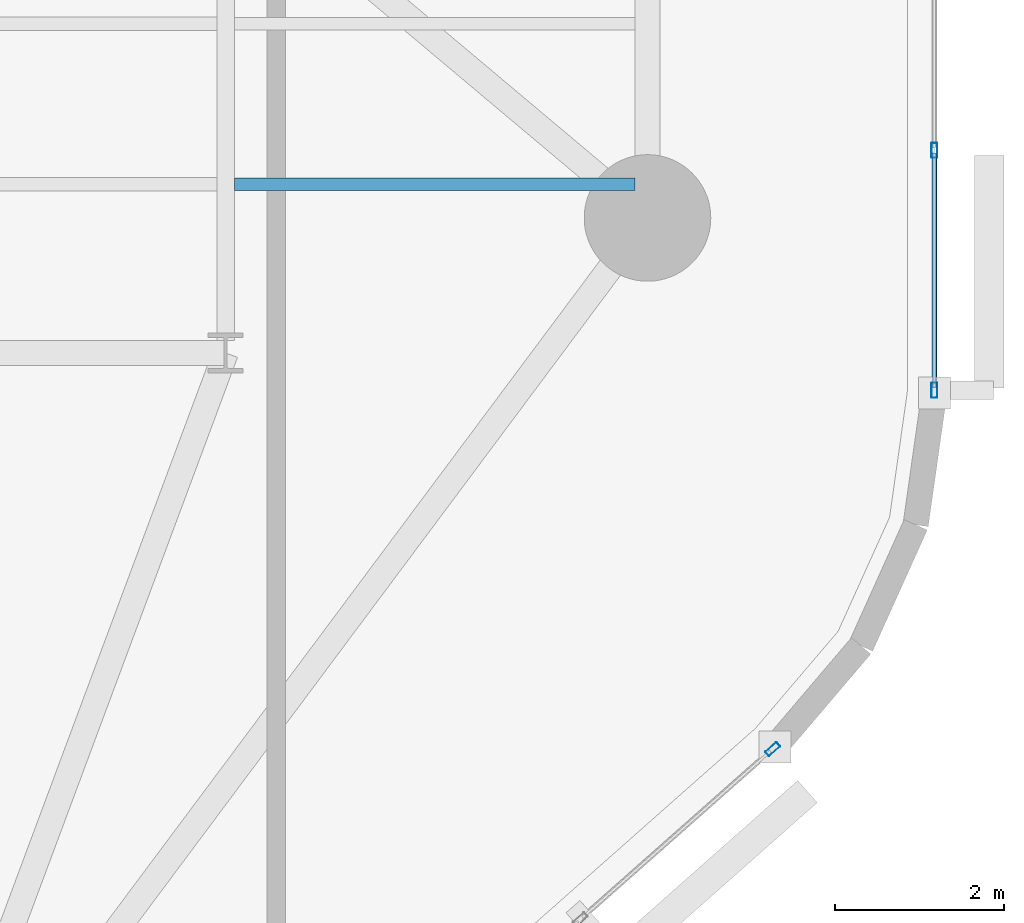
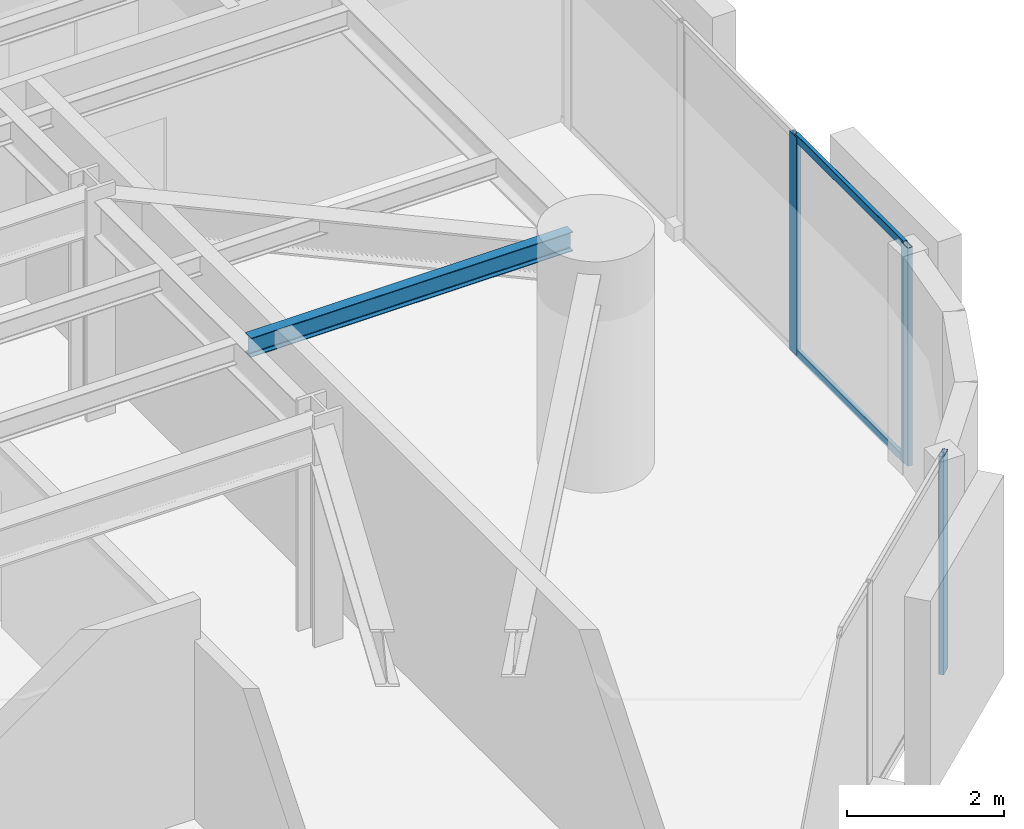
# One storey, part 4 of 17: 5 members, 1 beam, 2 elements without a shape of their own.
"""IFC4 building model written with IfcOpenShell, lengths in metres."""

from ifc_helpers import new_model, si_unit, direction, frame, origin, origin_2d, place, context, subcontext, project, spatial, hollow_rectangle, i_section, extrude, material, layer, layer_set, material_profile, profile_set, type_object, element, aggregate, save


model = new_model("IFC4")

# Units and contexts
model_context = context("Model", 3, precision=1e-05, world=origin(), true_north=direction((0.0, 1.0)))
body_context = subcontext(model_context, "Body", "Model", "MODEL_VIEW")
ifc_project = project(units=[si_unit("LENGTHUNIT", "METRE"), si_unit("AREAUNIT", "SQUARE_METRE"), si_unit("VOLUMEUNIT", "CUBIC_METRE"), si_unit("PLANEANGLEUNIT", "RADIAN"), si_unit("MASSUNIT", "GRAM", prefix="KILO")], contexts=[model_context])

# Site, building, storey
site_placement = place(None, origin())
site = spatial("IfcSite", under=ifc_project, at=site_placement, CompositionType="ELEMENT")
building_placement = place(site_placement, origin())
building = spatial("IfcBuilding", under=site, at=building_placement, Name="An Khanh Terracotta Commons", CompositionType="ELEMENT")
storey_placement = place(building_placement, frame((0.0, 0.0, 32.39990234375)))
storey = spatial("IfcBuildingStorey", under=building, at=storey_placement, Name="L08", CompositionType="ELEMENT", Elevation=32.39990234375)

# Beam
ifc_material_1 = material(Name="Steel S355J2", Category="steel")
ifc_material_profile_1 = material_profile(ifc_material_1, i_section(OverallWidth=0.14990234375, OverallDepth=0.300048828125, WebThickness=0.007080078125, FlangeThickness=0.0107421875, FilletRadius=0.014892578125, at=origin_2d()), Name="IPE300")
ifc_profile_set_1 = profile_set([ifc_material_profile_1], Name="Steel S355J2")
beam_type = type_object("IfcBeamType", Name="BM-IPE300", PredefinedType="JOIST", material=ifc_profile_set_1)
beam_placement = place(storey_placement, frame((43.304931640625, 16.39990234375, 3.25), z_axis=(1.0, 0.0, 0.0), x_axis=(0.0, 1.0, 0.0)))
element("IfcBeam", 1, at=beam_placement, inside=storey, type_object=beam_type, Name="L08 Riverfront Composite Joist 1", PredefinedType="JOIST", context=body_context, shape_type="SweptSolid", body=[
    extrude(i_section(OverallWidth=0.14990234375, OverallDepth=0.300048828125, WebThickness=0.007080078125, FlangeThickness=0.0107421875, FilletRadius=0.014892578125, at=origin_2d()), origin(), (0.0, 0.0, 1.0), 4.7451171875),
])

# Curtain wall, member
ifc_material_2 = material(Name="Anodised Aluminium 6063-T6", Category="aluminium")
ifc_layer = layer(ifc_material_2, 0.199951171875, Name="Anodised Aluminium 6063-T6")
ifc_layer_set = layer_set([ifc_layer], Name="Anodised Aluminium 6063-T6")
curtain_wall_type = type_object("IfcCurtainWallType", Name="CW-SYS-02", PredefinedType="USERDEFINED", material=ifc_layer_set)
curtain_wall_1_placement = place(storey_placement, origin())
curtain_wall_1 = element("IfcCurtainWall", 2, at=curtain_wall_1_placement, inside=storey, type_object=curtain_wall_type, Name="L08 CW-02 Unitised Curtain Wall CW-L08-08", ObjectType="UNITISED CURTAIN WALL", PredefinedType="USERDEFINED")
ifc_material_profile_2 = material_profile(ifc_material_2, hollow_rectangle(XDim=0.070068359375, YDim=0.179931640625, WallThickness=0.00390625, InnerFilletRadius=0.00390625, OuterFilletRadius=0.008056640625, at=origin_2d()), Name="RHS180x70x4")
ifc_profile_set_2 = profile_set([ifc_material_profile_2], Name="Anodised Aluminium 6063-T6")
member_type_1 = type_object("IfcMemberType", Name="CWM-RHS180x70x4", PredefinedType="MULLION", material=ifc_profile_set_2)
member_1_placement = place(storey_placement, frame((49.683837890625, 9.704833984375, 0.0), z_axis=(0.0, 0.0, 1.0), x_axis=(-0.662548195415, 0.749019284633, 0.0)))
member_1 = element("IfcMember", 3, at=member_1_placement, type_object=member_type_1, Name="CW-02 mullion 4", PredefinedType="MULLION", context=body_context, shape_type="SweptSolid", body=[
    extrude(hollow_rectangle(XDim=0.070068359375, YDim=0.179931640625, WallThickness=0.00390625, InnerFilletRadius=0.00390625, OuterFilletRadius=0.008056640625, at=origin_2d()), origin(), (0.0, 0.0, 1.0), 3.400146484375),
])
aggregate(curtain_wall_1, [member_1])

# Curtain wall, members
curtain_wall_2_placement = place(storey_placement, origin())
curtain_wall_2 = element("IfcCurtainWall", 4, at=curtain_wall_2_placement, inside=storey, type_object=curtain_wall_type, Name="L08 CW-02 Unitised Curtain Wall CW-L08-12", ObjectType="UNITISED CURTAIN WALL", PredefinedType="USERDEFINED")
member_2_placement = place(storey_placement, frame((51.60009765625, 13.9580078125, 0.0), z_axis=(0.0, 0.0, 1.0), x_axis=(-1.0, 0.0, 0.0)))
member_2 = element("IfcMember", 5, at=member_2_placement, type_object=member_type_1, Name="CW-02 mullion 1", PredefinedType="MULLION", context=body_context, shape_type="SweptSolid", body=[
    extrude(hollow_rectangle(XDim=0.070068359375, YDim=0.179931640625, WallThickness=0.00390625, InnerFilletRadius=0.00390625, OuterFilletRadius=0.008056640625, at=origin_2d()), origin(), (0.0, 0.0, 1.0), 3.400146484375),
])
member_3_placement = place(storey_placement, frame((51.60009765625, 16.80224609375, 0.0), z_axis=(0.0, 0.0, 1.0), x_axis=(-1.0, 0.0, 0.0)))
member_3 = element("IfcMember", 6, at=member_3_placement, type_object=member_type_1, Name="CW-02 mullion 2", PredefinedType="MULLION", context=body_context, shape_type="SweptSolid", body=[
    extrude(hollow_rectangle(XDim=0.070068359375, YDim=0.179931640625, WallThickness=0.00390625, InnerFilletRadius=0.00390625, OuterFilletRadius=0.008056640625, at=origin_2d()), origin(), (0.0, 0.0, 1.0), 3.400146484375),
])
ifc_material_profile_3 = material_profile(ifc_material_2, hollow_rectangle(XDim=0.06005859375, YDim=0.1201171875, WallThickness=0.003662109375, InnerFilletRadius=0.003662109375, OuterFilletRadius=0.007080078125, at=origin_2d()), Name="RHS120x60x3.6")
ifc_profile_set_3 = profile_set([ifc_material_profile_3], Name="Anodised Aluminium 6063-T6")
member_type_2 = type_object("IfcMemberType", Name="CWT-RHS120x60x3.6", PredefinedType="USERDEFINED", material=ifc_profile_set_3)
member_4_placement = place(storey_placement, frame((51.60009765625, 13.992919921875, 0.030029296875), z_axis=(0.0, 1.0, 0.0), x_axis=(-1.0, 0.0, 0.0)))
member_4 = element("IfcMember", 7, at=member_4_placement, type_object=member_type_2, Name="CW-02 transom 1.1", ObjectType="TRANSOM", PredefinedType="USERDEFINED", context=body_context, shape_type="SweptSolid", body=[
    extrude(hollow_rectangle(XDim=0.06005859375, YDim=0.1201171875, WallThickness=0.003662109375, InnerFilletRadius=0.003662109375, OuterFilletRadius=0.007080078125, at=origin_2d()), origin(), (0.0, 0.0, 1.0), 2.774169921875),
])
member_5_placement = place(storey_placement, frame((51.60009765625, 13.992919921875, 3.3701171875), z_axis=(0.0, 1.0, 0.0), x_axis=(-1.0, 0.0, 0.0)))
member_5 = element("IfcMember", 8, at=member_5_placement, type_object=member_type_2, Name="CW-02 transom 1.2", ObjectType="TRANSOM", PredefinedType="USERDEFINED", context=body_context, shape_type="SweptSolid", body=[
    extrude(hollow_rectangle(XDim=0.06005859375, YDim=0.1201171875, WallThickness=0.003662109375, InnerFilletRadius=0.003662109375, OuterFilletRadius=0.007080078125, at=origin_2d()), origin(), (0.0, 0.0, 1.0), 2.774169921875),
])
aggregate(curtain_wall_2, [member_2, member_3, member_4, member_5])

save(model, "model.ifc")
